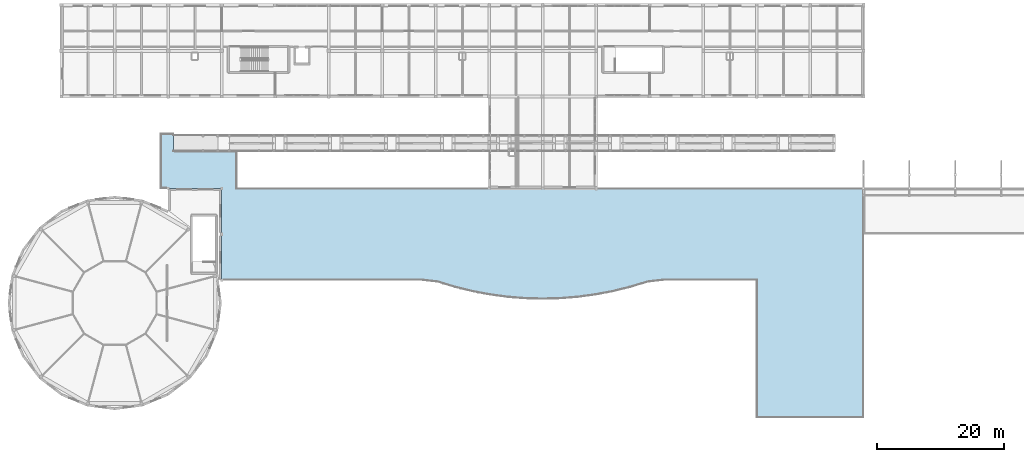
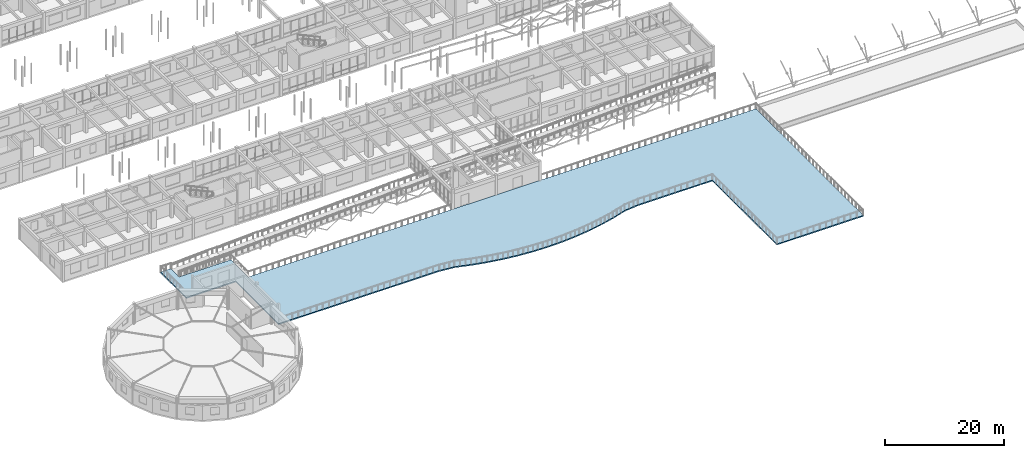
# One storey, part 57 of 90: 1 slab.
"""IFC4 building model written with IfcOpenShell, lengths in metres."""

from ifc_helpers import new_model, si_unit, direction, frame, origin, place, context, subcontext, project, spatial, polyline, outline, extrude, material, layer, layer_set, type_object, element, save


model = new_model("IFC4")

# Units and contexts
model_context = context("Model", 3, precision=1e-05, world=origin(), true_north=direction((0.0, 1.0)))
body_context = subcontext(model_context, "Body", "Model", "MODEL_VIEW")
ifc_project = project(units=[si_unit("LENGTHUNIT", "METRE"), si_unit("AREAUNIT", "SQUARE_METRE"), si_unit("VOLUMEUNIT", "CUBIC_METRE"), si_unit("PLANEANGLEUNIT", "RADIAN"), si_unit("MASSUNIT", "GRAM", prefix="KILO")], contexts=[model_context])

# Site, building, storey
site_placement = place(None, origin())
site = spatial("IfcSite", under=ifc_project, at=site_placement, CompositionType="ELEMENT")
building_placement = place(site_placement, origin())
building = spatial("IfcBuilding", under=site, at=building_placement, Name="Malvenik Polytechnic", CompositionType="ELEMENT")
storey_placement = place(building_placement, frame((0.0, 0.0, 9.300048828125)))
storey = spatial("IfcBuildingStorey", under=building, at=storey_placement, Name="L02", CompositionType="ELEMENT", Elevation=9.300048828125)

# Slab
ifc_material = material(Name="Concrete C35/45", Category="concrete")
ifc_layer = layer(ifc_material, 0.22998046875)
ifc_layer_set = layer_set([ifc_layer], Name="Concrete C35/45")
slab_type = type_object("IfcSlabType", Name="STR-SLB-TER-230", PredefinedType="FLOOR", material=ifc_layer_set)
slab_placement = place(storey_placement, frame((0.0, 0.0, -0.22998046875)))
element("IfcSlab", 1, at=slab_placement, inside=storey, type_object=slab_type, Name="Exterior Terrace Slab L02 #79", PredefinedType="FLOOR", context=body_context, shape_type="SweptSolid", body=[
    extrude(outline(polyline([(24.0, 44.60009765625), (24.00048828125, 44.60009765625), (26.01953125, 44.60009765625), (26.02001953125, 44.60009765625), (26.02001953125, 44.599609375), (26.02001953125, 41.820068359375), (26.02001953125, 41.818115234375), (26.0205078125, 41.816162109375), (26.02099609375, 41.814208984375), (26.021484375, 41.812255859375), (26.0224609375, 41.810546875), (26.0234375, 41.808837890625), (26.0244140625, 41.807373046875), (26.02587890625, 41.805908203125), (26.02734375, 41.804443359375), (26.02880859375, 41.803466796875), (26.030517578125, 41.802490234375), (26.0322265625, 41.801513671875), (26.0341796875, 41.80078125), (26.0361328125, 41.80029296875), (26.0380859375, 41.800048828125), (26.0400390625, 41.800048828125), (35.99951171875, 41.800048828125), (36.0, 41.800048828125), (36.0, 41.799560546875), (36.0, 36.02001953125), (36.0, 36.01806640625), (36.00048828125, 36.01611328125), (36.0009765625, 36.01416015625), (36.00146484375, 36.01220703125), (36.00244140625, 36.010498046875), (36.00341796875, 36.0087890625), (36.00439453125, 36.00732421875), (36.005859375, 36.005859375), (36.00732421875, 36.00439453125), (36.0087890625, 36.00341796875), (36.010498046875, 36.00244140625), (36.01220703125, 36.00146484375), (36.01416015625, 36.0009765625), (36.01611328125, 36.00048828125), (36.01806640625, 36.0), (36.02001953125, 36.0), (75.60009765625, 36.0), (92.39990234375, 36.0), (134.3798828125, 36.0), (134.3798828125, 0.0), (117.6005859375, 0.0), (117.60009765625, 0.0), (117.60009765625, 0.00048828125), (117.60009765625, 21.580078125), (117.599853515625, 21.58203125), (117.599609375, 21.583984375), (117.59912109375, 21.585693359375), (117.598388671875, 21.587646484375), (117.59765625, 21.58935546875), (117.5966796875, 21.591064453125), (117.595458984375, 21.5927734375), (117.593994140625, 21.593994140625), (117.5927734375, 21.595458984375), (117.591064453125, 21.5966796875), (117.58935546875, 21.59765625), (117.587646484375, 21.598388671875), (117.585693359375, 21.59912109375), (117.583984375, 21.599609375), (117.58203125, 21.599853515625), (117.580078125, 21.60009765625), (103.251220703125, 21.60009765625), (103.248779296875, 21.599853515625), (100.501708984375, 21.287353515625), (100.5, 21.287109375), (100.498291015625, 21.28662109375), (97.750244140625, 20.450927734375), (97.749755859375, 20.45068359375), (95.000244140625, 19.77685546875), (94.999755859375, 19.776611328125), (92.250244140625, 19.258544921875), (92.249755859375, 19.258544921875), (89.500244140625, 18.8916015625), (89.499755859375, 18.8916015625), (86.750244140625, 18.6728515625), (86.749755859375, 18.6728515625), (84.000244140625, 18.60009765625), (83.999755859375, 18.60009765625), (81.250244140625, 18.6728515625), (81.249755859375, 18.6728515625), (78.500244140625, 18.8916015625), (78.499755859375, 18.8916015625), (75.750244140625, 19.258544921875), (75.749755859375, 19.258544921875), (73.000244140625, 19.776611328125), (72.999755859375, 19.77685546875), (70.250244140625, 20.45068359375), (70.249755859375, 20.450927734375), (67.501708984375, 21.28662109375), (67.5, 21.287109375), (67.498291015625, 21.287353515625), (64.751220703125, 21.599853515625), (64.748779296875, 21.60009765625), (33.6005859375, 21.60009765625), (33.60009765625, 21.60009765625), (33.60009765625, 21.6005859375), (33.60009765625, 35.97998046875), (33.60009765625, 36.0), (33.580078125, 36.0), (25.199951171875, 36.0), (24.00048828125, 36.0), (24.0, 36.0), (24.0, 36.00048828125), (24.0, 44.599609375), (24.0, 44.60009765625)])), origin(), (0.0, 0.0, 1.0), 0.22998046875),
])

save(model, "model.ifc")
